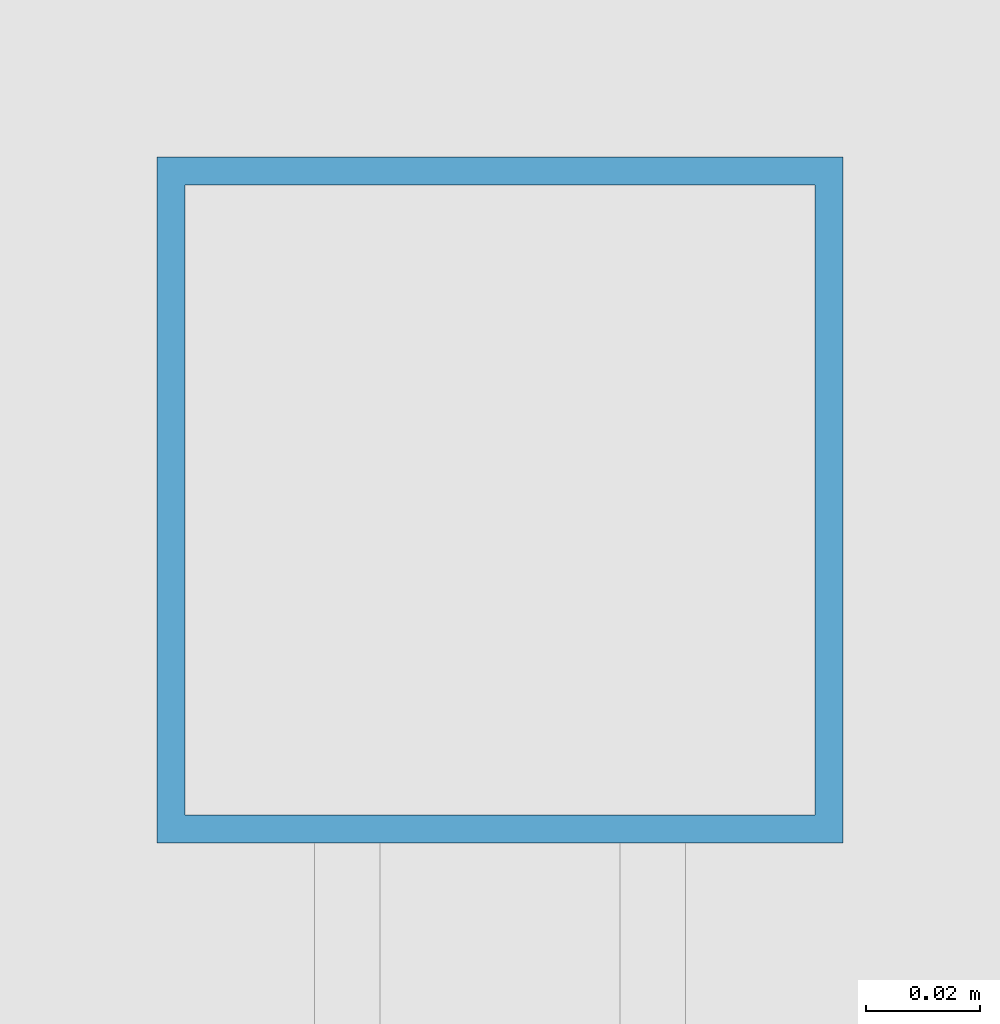
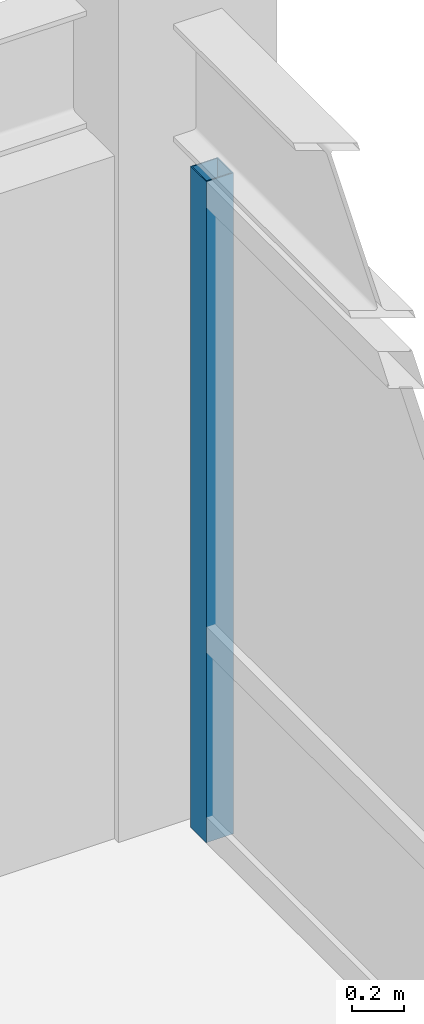
# One storey, part 20 of 29: 1 member, 1 element without a shape of its own.
"""IFC4 building model written with IfcOpenShell, lengths in metres."""

from ifc_helpers import new_model, si_unit, direction, frame, origin, origin_2d, place, context, subcontext, project, spatial, hollow_rectangle, extrude, source, transform, mapped, material, material_profile, profile_set, type_object, element, aggregate, save


model = new_model("IFC4")

# Units and contexts
model_context = context("Model", 3, precision=1e-05, world=origin(), true_north=direction((0.0, 1.0)))
body_context = subcontext(model_context, "Body", "Model", "MODEL_VIEW")
ifc_project = project(units=[si_unit("LENGTHUNIT", "METRE"), si_unit("AREAUNIT", "SQUARE_METRE"), si_unit("VOLUMEUNIT", "CUBIC_METRE"), si_unit("PLANEANGLEUNIT", "RADIAN"), si_unit("MASSUNIT", "GRAM", prefix="KILO")], contexts=[model_context])

# Site, building, storey
site_placement = place(None, origin())
site = spatial("IfcSite", under=ifc_project, at=site_placement, CompositionType="ELEMENT")
building_placement = place(site_placement, origin())
building = spatial("IfcBuilding", under=site, at=building_placement, Name="Khorayat Bourse Tower", CompositionType="ELEMENT")
storey_placement = place(building_placement, frame((0.0, 0.0, 358.300048828125)))
storey = spatial("IfcBuildingStorey", under=building, at=storey_placement, Name="L85", CompositionType="ELEMENT", Elevation=358.300048828125)

# Curtain wall, member
ifc_material = material(Name="Aluminium EN AW-6063 T6", Category="aluminium")
curtain_wall_type = type_object("IfcCurtainWallType", Name="CW-SYS-04", PredefinedType="NOTDEFINED", material=ifc_material)
curtain_wall_placement = place(storey_placement, origin())
curtain_wall = element("IfcCurtainWall", 1, at=curtain_wall_placement, inside=storey, type_object=curtain_wall_type, Name="L85 Curtain Wall CW-L85-E1", PredefinedType="NOTDEFINED")
ifc_material_profile = material_profile(ifc_material, hollow_rectangle(XDim=0.1201171875, YDim=0.1201171875, WallThickness=0.0048828125, at=origin_2d()), Name="ALU 120x120x5")
ifc_profile_set = profile_set([ifc_material_profile], Name="Aluminium EN AW-6063 T6")
member_type = type_object("IfcMemberType", Name="CWM-VERT-120", PredefinedType="MULLION", material=ifc_profile_set)
shared_shape = source(origin(), body_context, "Body", "SweptSolid", [
    extrude(hollow_rectangle(XDim=0.1201171875, YDim=0.1201171875, WallThickness=0.0048828125, at=origin_2d()), origin(), (0.0, 0.0, 1.0), 3.08984375),
])
member_placement = place(storey_placement, frame((26.0, 19.5400390625, 0.0), z_axis=(0.0, 0.0, 1.0), x_axis=(-1.0, 0.0, 0.0)))
member = element("IfcMember", 2, at=member_placement, type_object=member_type, Name="CW-L85-E1 Vertical Mullion 3", PredefinedType="MULLION", context=body_context, shape_type="MappedRepresentation", body=[
    mapped(shared_shape, transform((0.0, 0.0, 0.0), scale=1.0)),
])
aggregate(curtain_wall, [member])

save(model, "model.ifc")
